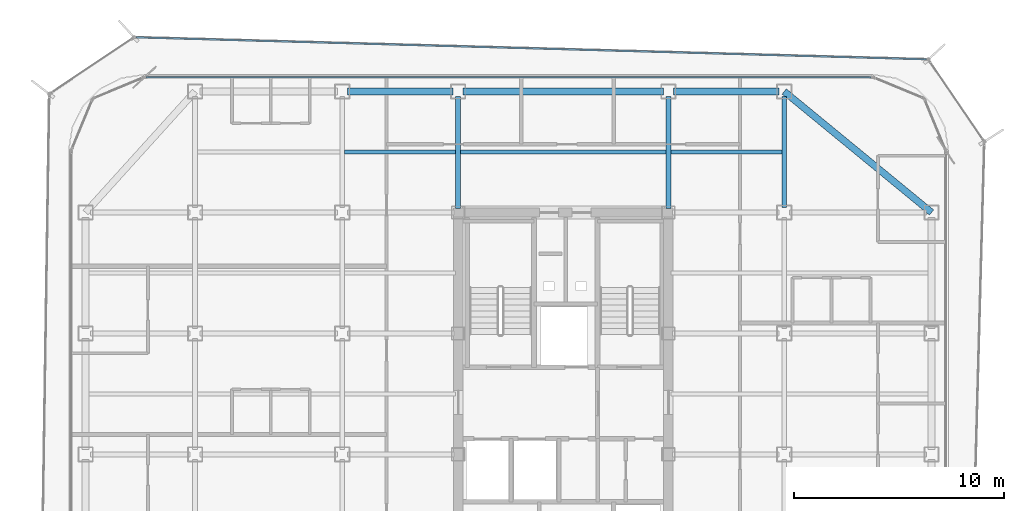
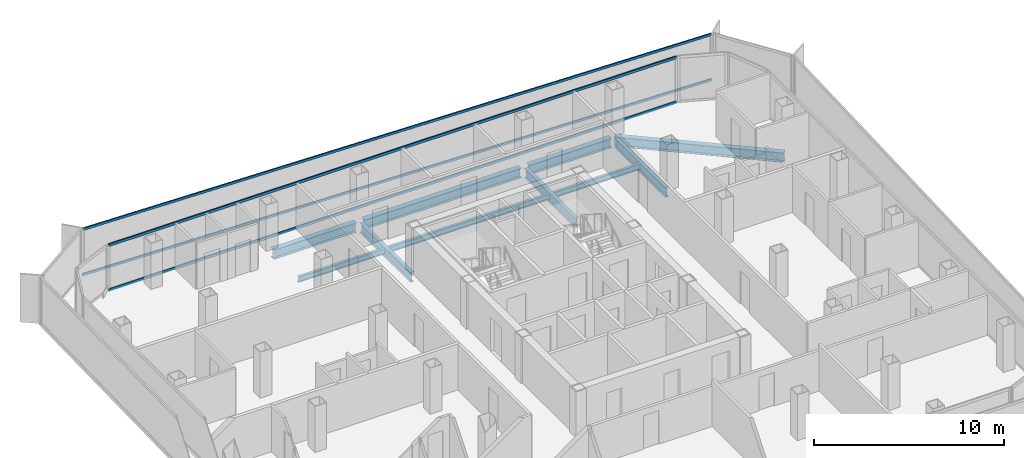
# One storey, part 7 of 15: 10 beams, 4 members, 2 elements without a shape of their own.
"""IFC4 building model written with IfcOpenShell, lengths in metres."""

from ifc_helpers import new_model, si_unit, direction, frame, origin, origin_2d, place, context, subcontext, project, spatial, hollow_rectangle, i_section, extrude, source, transform, mapped, material, layer, layer_set, material_profile, profile_set, type_object, element, aggregate, save


model = new_model("IFC4")

# Units and contexts
model_context = context("Model", 3, precision=1e-05, world=origin(), true_north=direction((0.0, 1.0)))
body_context = subcontext(model_context, "Body", "Model", "MODEL_VIEW")
ifc_project = project(units=[si_unit("LENGTHUNIT", "METRE"), si_unit("AREAUNIT", "SQUARE_METRE"), si_unit("VOLUMEUNIT", "CUBIC_METRE"), si_unit("PLANEANGLEUNIT", "RADIAN"), si_unit("MASSUNIT", "GRAM", prefix="KILO")], contexts=[model_context])

# Site, building, storey
site_placement = place(None, origin())
site = spatial("IfcSite", under=ifc_project, at=site_placement, CompositionType="ELEMENT")
building_placement = place(site_placement, origin())
building = spatial("IfcBuilding", under=site, at=building_placement, Name="Kolveth Station Tower", CompositionType="ELEMENT")
storey_placement = place(building_placement, frame((0.0, 0.0, 193.199951171875)))
storey = spatial("IfcBuildingStorey", under=building, at=storey_placement, Name="L54", CompositionType="ELEMENT", Elevation=193.199951171875)

# Beams
ifc_material_1 = material(Name="Steel S355", Category="steel")
ifc_material_profile_1 = material_profile(ifc_material_1, i_section(OverallWidth=0.323974609375, OverallDepth=0.611083984375, WebThickness=0.0126953125, FlangeThickness=0.01904296875, at=origin_2d()), Name="W610x155")
ifc_profile_set_1 = profile_set([ifc_material_profile_1], Name="Steel S355")
beam_type_1 = type_object("IfcBeamType", Name="Beam_SP2", PredefinedType="SPANDREL", material=ifc_profile_set_1)
shared_shape_1 = source(origin(), body_context, "Body", "SweptSolid", [
    extrude(i_section(OverallWidth=0.323974609375, OverallDepth=0.611083984375, WebThickness=0.0126953125, FlangeThickness=0.01904296875, at=origin_2d()), origin(), (0.0, 0.0, 1.0), 5.02001953125),
])
for number, where, z_axis, x_axis, name in (
    (1, (13.239990234375, 34.5, -0.555419921875), (1.0, 0.0, 0.0), (0.0, 1.0, 0.0), "L54 Perimeter Spandrel BM-L54-PN-2"),
    (2, (28.739990234375, 34.5, -0.555419921875), (1.0, 0.0, 0.0), (0.0, 1.0, 0.0), "L54 Perimeter Spandrel BM-L54-PN-4"),
):
    element("IfcBeam", number, at=place(storey_placement, frame(where, z_axis=z_axis, x_axis=x_axis)), inside=storey, type_object=beam_type_1, Name=name, PredefinedType="SPANDREL", context=body_context, shape_type="MappedRepresentation", body=[
        mapped(shared_shape_1, transform((0.0, 0.0, 0.0), x_axis=(1.0, 0.0, 0.0), y_axis=(0.0, 1.0, 0.0), z_axis=(0.0, 0.0, 1.0), scale=1.0)),
    ])
shared_shape_2 = source(origin(), body_context, "Body", "SweptSolid", [
    extrude(i_section(OverallWidth=0.323974609375, OverallDepth=0.611083984375, WebThickness=0.0126953125, FlangeThickness=0.01904296875, at=origin_2d()), origin(), (0.0, 0.0, 1.0), 9.52001953125),
])
beam_1_placement = place(storey_placement, frame((18.739990234375, 34.5, -0.555419921875), z_axis=(1.0, 0.0, 0.0), x_axis=(0.0, 1.0, 0.0)))
element("IfcBeam", 3, at=beam_1_placement, inside=storey, type_object=beam_type_1, Name="L54 Perimeter Spandrel BM-L54-PN-3", PredefinedType="SPANDREL", context=body_context, shape_type="MappedRepresentation", body=[
    mapped(shared_shape_2, transform((0.0, 0.0, 0.0), x_axis=(1.0, 0.0, 0.0), y_axis=(0.0, 1.0, 0.0), z_axis=(0.0, 0.0, 1.0), scale=1.0)),
])
shared_shape_3 = source(origin(), body_context, "Body", "SweptSolid", [
    extrude(i_section(OverallWidth=0.323974609375, OverallDepth=0.611083984375, WebThickness=0.0126953125, FlangeThickness=0.01904296875, at=origin_2d()), origin(), (0.0, 0.0, 1.0), 9.058837890625),
])
beam_2_placement = place(storey_placement, frame((41.0, 28.75, -0.555419921875), z_axis=(-0.772726254525, 0.63473942336, 0.0), x_axis=(-0.63473942336, -0.772726254525, 0.0)))
element("IfcBeam", 4, at=beam_2_placement, inside=storey, type_object=beam_type_1, Name="L54 Corner Edge Girder BM-L54-CNR-NE", PredefinedType="SPANDREL", context=body_context, shape_type="MappedRepresentation", body=[
    mapped(shared_shape_3, transform((0.0, 0.0, 0.0), x_axis=(1.0, 0.0, 0.0), y_axis=(0.0, 1.0, 0.0), z_axis=(0.0, 0.0, 1.0), scale=1.0)),
])
ifc_material_profile_2 = material_profile(ifc_material_1, i_section(OverallWidth=0.22900390625, OverallDepth=0.612060546875, WebThickness=0.011962890625, FlangeThickness=0.01953125, at=origin_2d()), Name="W610x125")
ifc_profile_set_2 = profile_set([ifc_material_profile_2], Name="Steel S355")
beam_type_2 = type_object("IfcBeamType", Name="Beam_B5", PredefinedType="BEAM", material=ifc_profile_set_2)
shared_shape_4 = source(origin(), body_context, "Body", "SweptSolid", [
    extrude(i_section(OverallWidth=0.22900390625, OverallDepth=0.612060546875, WebThickness=0.011962890625, FlangeThickness=0.01953125, at=origin_2d()), origin(), (0.0, 0.0, 1.0), 5.27001953125),
])
beam_3_placement = place(storey_placement, frame((34.0, 28.989990234375, -0.555908203125), z_axis=(0.0, 1.0, 0.0), x_axis=(-1.0, 0.0, 0.0)))
element("IfcBeam", 5, at=beam_3_placement, inside=storey, type_object=beam_type_2, Name="L54 Primary Girder BM-L54-GX340-6", PredefinedType="BEAM", context=body_context, shape_type="MappedRepresentation", body=[
    mapped(shared_shape_4, transform((0.0, 0.0, 0.0), x_axis=(1.0, 0.0, 0.0), y_axis=(0.0, 1.0, 0.0), z_axis=(0.0, 0.0, 1.0), scale=1.0)),
])
shared_shape_5 = source(origin(), body_context, "Body", "SweptSolid", [
    extrude(i_section(OverallWidth=0.22900390625, OverallDepth=0.612060546875, WebThickness=0.011962890625, FlangeThickness=0.01953125, at=origin_2d()), origin(), (0.0, 0.0, 1.0), 5.31005859375),
])
for number, where, z_axis, x_axis, name in (
    (6, (18.5, 28.949951171875, -0.555908203125), (0.0, 1.0, 0.0), (-1.0, 0.0, 0.0), "L54 Primary Girder BM-L54-GX185-6"),
    (7, (28.5, 28.949951171875, -0.555908203125), (0.0, 1.0, 0.0), (-1.0, 0.0, 0.0), "L54 Primary Girder BM-L54-GX285-6"),
):
    element("IfcBeam", number, at=place(storey_placement, frame(where, z_axis=z_axis, x_axis=x_axis)), inside=storey, type_object=beam_type_2, Name=name, PredefinedType="BEAM", context=body_context, shape_type="MappedRepresentation", body=[
        mapped(shared_shape_5, transform((0.0, 0.0, 0.0), x_axis=(1.0, 0.0, 0.0), y_axis=(0.0, 1.0, 0.0), z_axis=(0.0, 0.0, 1.0), scale=1.0)),
    ])
ifc_material_profile_3 = material_profile(ifc_material_1, i_section(OverallWidth=0.1708984375, OverallDepth=0.35205078125, WebThickness=0.0068359375, FlangeThickness=0.009765625, at=origin_2d()), Name="W360x44")
ifc_profile_set_3 = profile_set([ifc_material_profile_3], Name="Steel S355")
beam_type_3 = type_object("IfcBeamType", Name="Beam_J2", PredefinedType="JOIST", material=ifc_profile_set_3)
shared_shape_6 = source(origin(), body_context, "Body", "SweptSolid", [
    extrude(i_section(OverallWidth=0.1708984375, OverallDepth=0.35205078125, WebThickness=0.0068359375, FlangeThickness=0.009765625, at=origin_2d()), origin(), (0.0, 0.0, 1.0), 5.27490234375),
])
for number, where, z_axis, x_axis, name in (
    (8, (13.112548828125, 31.625, -0.426025390625), (1.0, 0.0, 0.0), (0.0, 1.0, 0.0), "L54 Secondary Joist JST-L54-3-6"),
    (9, (28.612548828125, 31.625, -0.426025390625), (1.0, 0.0, 0.0), (0.0, 1.0, 0.0), "L54 Secondary Joist JST-L54-5-6"),
):
    element("IfcBeam", number, at=place(storey_placement, frame(where, z_axis=z_axis, x_axis=x_axis)), inside=storey, type_object=beam_type_3, Name=name, PredefinedType="JOIST", context=body_context, shape_type="MappedRepresentation", body=[
        mapped(shared_shape_6, transform((0.0, 0.0, 0.0), x_axis=(1.0, 0.0, 0.0), y_axis=(0.0, 1.0, 0.0), z_axis=(0.0, 0.0, 1.0), scale=1.0)),
    ])
shared_shape_7 = source(origin(), body_context, "Body", "SweptSolid", [
    extrude(i_section(OverallWidth=0.1708984375, OverallDepth=0.35205078125, WebThickness=0.0068359375, FlangeThickness=0.009765625, at=origin_2d()), origin(), (0.0, 0.0, 1.0), 9.77490234375),
])
beam_4_placement = place(storey_placement, frame((18.612548828125, 31.625, -0.426025390625), z_axis=(1.0, 0.0, 0.0), x_axis=(0.0, 1.0, 0.0)))
element("IfcBeam", 10, at=beam_4_placement, inside=storey, type_object=beam_type_3, Name="L54 Secondary Joist JST-L54-4-6", PredefinedType="JOIST", context=body_context, shape_type="MappedRepresentation", body=[
    mapped(shared_shape_7, transform((0.0, 0.0, 0.0), x_axis=(1.0, 0.0, 0.0), y_axis=(0.0, 1.0, 0.0), z_axis=(0.0, 0.0, 1.0), scale=1.0)),
])

# Curtain wall, members
ifc_material_2 = material(Name="Aluminium 6063-T6 and low-E dark glass", Category="aluminium")
ifc_layer_1 = layer(ifc_material_2, 0.18994140625)
ifc_layer_set_1 = layer_set([ifc_layer_1], Name="Aluminium 6063-T6 and low-E dark glass")
curtain_wall_type_1 = type_object("IfcCurtainWallType", Name="CurtainWall_CW-Z2", PredefinedType="NOTDEFINED", material=ifc_layer_set_1)
curtain_wall_1_placement = place(storey_placement, origin())
curtain_wall_1 = element("IfcCurtainWall", 11, at=curtain_wall_1_placement, inside=storey, type_object=curtain_wall_type_1, Name="L54 Inner Thermal Curtain Wall 6", PredefinedType="NOTDEFINED")
ifc_material_3 = material(Name="Black anodized aluminium 6063-T6", Category="aluminium")
ifc_material_profile_4 = material_profile(ifc_material_3, hollow_rectangle(XDim=0.080078125, YDim=0.169921875, WallThickness=0.0048828125, at=origin_2d()), Name="ALU-80x170x5")
ifc_profile_set_4 = profile_set([ifc_material_profile_4], Name="Black anodized aluminium 6063-T6")
member_type_1 = type_object("IfcMemberType", Name="Transom_TR2", PredefinedType="USERDEFINED", material=ifc_profile_set_4)
shared_shape_8 = source(origin(), body_context, "Body", "SweptSolid", [
    extrude(hollow_rectangle(XDim=0.080078125, YDim=0.169921875, WallThickness=0.0048828125, at=origin_2d()), origin(), (0.0, 0.0, 1.0), 34.440185546875),
])
member_1_placement = place(storey_placement, frame((38.1201171875, 35.179931640625, 0.0400390625), z_axis=(-1.0, 0.0, 0.0), x_axis=(0.0, -1.0, 0.0)))
member_1 = element("IfcMember", 12, at=member_1_placement, type_object=member_type_1, Name="CW-Z2 transom 1.1", ObjectType="TRANSOM", PredefinedType="USERDEFINED", context=body_context, shape_type="MappedRepresentation", body=[
    mapped(shared_shape_8, transform((0.0, 0.0, 0.0), x_axis=(1.0, 0.0, 0.0), y_axis=(0.0, 1.0, 0.0), z_axis=(0.0, 0.0, 1.0), scale=1.0)),
])
member_2_placement = place(storey_placement, frame((38.1201171875, 35.179931640625, 2.91015625), z_axis=(-1.0, 0.0, 0.0), x_axis=(0.0, -1.0, 0.0)))
member_2 = element("IfcMember", 13, at=member_2_placement, type_object=member_type_1, Name="CW-Z2 transom 1.2", ObjectType="TRANSOM", PredefinedType="USERDEFINED", context=body_context, shape_type="MappedRepresentation", body=[
    mapped(shared_shape_8, transform((0.0, 0.0, 0.0), x_axis=(1.0, 0.0, 0.0), y_axis=(0.0, 1.0, 0.0), z_axis=(0.0, 0.0, 1.0), scale=1.0)),
])
aggregate(curtain_wall_1, [member_1, member_2])

ifc_material_4 = material(Name="Black anodized aluminium 6063-T6 and dark solar glass", Category="aluminium")
ifc_layer_2 = layer(ifc_material_4, 0.159912109375)
ifc_layer_set_2 = layer_set([ifc_layer_2], Name="Black anodized aluminium 6063-T6 and dark solar glass")
curtain_wall_type_2 = type_object("IfcCurtainWallType", Name="OUTER SKIN CW-OS", PredefinedType="NOTDEFINED", material=ifc_layer_set_2)
curtain_wall_2_placement = place(storey_placement, origin())
curtain_wall_2 = element("IfcCurtainWall", 14, at=curtain_wall_2_placement, inside=storey, type_object=curtain_wall_type_2, Name="L54 Outer Ventilated Skin Curtain Wall 4", PredefinedType="NOTDEFINED")
ifc_material_profile_5 = material_profile(ifc_material_3, hollow_rectangle(XDim=0.080078125, YDim=0.14990234375, WallThickness=0.0048828125, at=origin_2d()), Name="ALU-80x150x5")
ifc_profile_set_5 = profile_set([ifc_material_profile_5], Name="Black anodized aluminium 6063-T6")
member_type_2 = type_object("IfcMemberType", Name="Transom_TR-OS", PredefinedType="USERDEFINED", material=ifc_profile_set_5)
shared_shape_9 = source(origin(), body_context, "Body", "SweptSolid", [
    extrude(hollow_rectangle(XDim=0.080078125, YDim=0.14990234375, WallThickness=0.0048828125, at=origin_2d()), origin(), (0.0, 0.0, 1.0), 37.5810546875),
])
member_3_placement = place(storey_placement, frame((40.76220703125, 36.027587890625, 0.0400390625), z_axis=(-0.999613016918, 0.027817555751, 0.0), x_axis=(-0.027817555751, -0.999613016918, 0.0)))
member_3 = element("IfcMember", 15, at=member_3_placement, type_object=member_type_2, Name="CW-OS transom 1.1", ObjectType="TRANSOM", PredefinedType="USERDEFINED", context=body_context, shape_type="MappedRepresentation", body=[
    mapped(shared_shape_9, transform((0.0, 0.0, 0.0), x_axis=(1.0, 0.0, 0.0), y_axis=(0.0, 1.0, 0.0), z_axis=(0.0, 0.0, 1.0), scale=1.0)),
])
member_4_placement = place(storey_placement, frame((40.76220703125, 36.027587890625, 2.949951171875), z_axis=(-0.999613016918, 0.027817555751, 0.0), x_axis=(-0.027817555751, -0.999613016918, 0.0)))
member_4 = element("IfcMember", 16, at=member_4_placement, type_object=member_type_2, Name="CW-OS transom 1.2", ObjectType="TRANSOM", PredefinedType="USERDEFINED", context=body_context, shape_type="MappedRepresentation", body=[
    mapped(shared_shape_9, transform((0.0, 0.0, 0.0), x_axis=(1.0, 0.0, 0.0), y_axis=(0.0, 1.0, 0.0), z_axis=(0.0, 0.0, 1.0), scale=1.0)),
])
aggregate(curtain_wall_2, [member_3, member_4])

save(model, "model.ifc")
